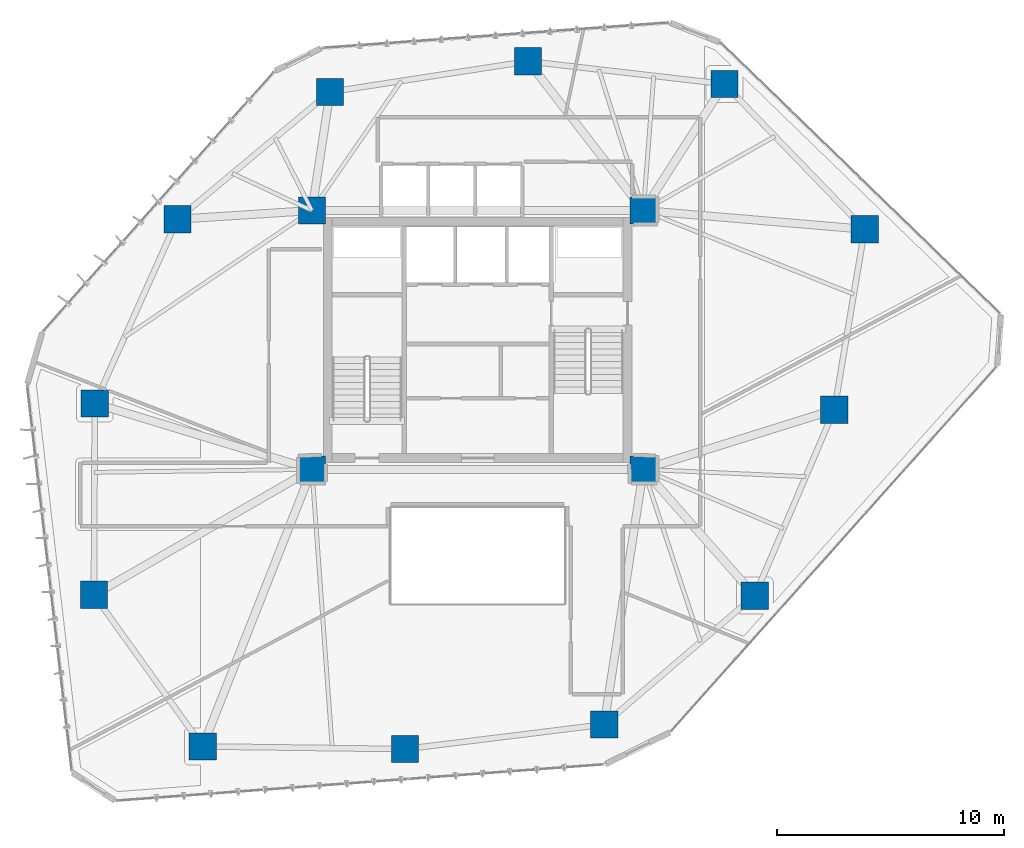
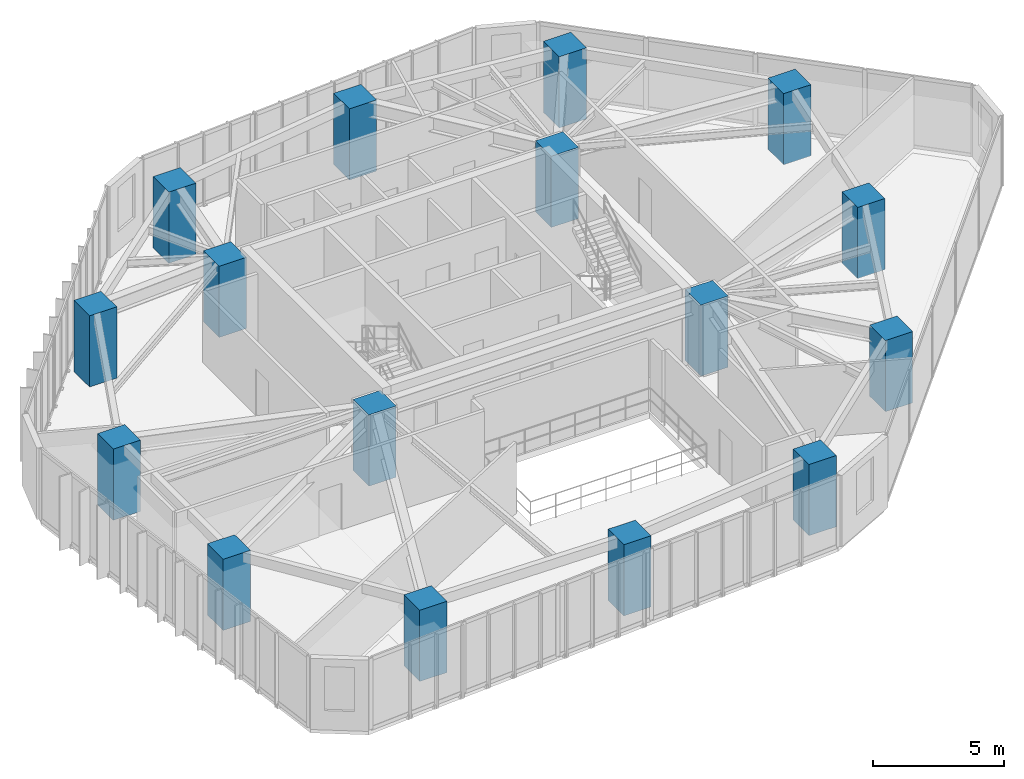
# One storey, part 1 of 23: 16 columns.
"""IFC4 building model written with IfcOpenShell, lengths in metres."""

from ifc_helpers import new_model, si_unit, direction, frame, origin, origin_2d, place, context, subcontext, project, spatial, rectangle, extrude, material, material_profile, profile_set, type_object, element, save


model = new_model("IFC4")

# Units and contexts
model_context = context("Model", 3, precision=1e-05, world=origin(), true_north=direction((0.0, 1.0)))
body_context = subcontext(model_context, "Body", "Model", "MODEL_VIEW")
ifc_project = project(units=[si_unit("LENGTHUNIT", "METRE"), si_unit("AREAUNIT", "SQUARE_METRE"), si_unit("VOLUMEUNIT", "CUBIC_METRE"), si_unit("PLANEANGLEUNIT", "RADIAN"), si_unit("MASSUNIT", "GRAM", prefix="KILO")], contexts=[model_context])

# Site, building, storey
site_placement = place(None, origin())
site = spatial("IfcSite", under=ifc_project, at=site_placement, CompositionType="ELEMENT")
building_placement = place(site_placement, origin())
building = spatial("IfcBuilding", under=site, at=building_placement, Name="Talar Marvaseh", CompositionType="ELEMENT")
storey_placement = place(building_placement, frame((0.0, 0.0, 103.800048828125)))
storey = spatial("IfcBuildingStorey", under=building, at=storey_placement, Name="L26", CompositionType="ELEMENT", Elevation=103.800048828125)

# Columns
ifc_material = material(Name="Concrete C60/75", Category="concrete")
ifc_material_profile = material_profile(ifc_material, rectangle(XDim=1.199951171875, YDim=1.199951171875, at=origin_2d()), Name="RC1200x1200")
ifc_profile_set = profile_set([ifc_material_profile], Name="Concrete C60/75")
column_type = type_object("IfcColumnType", Name="Zone 2 Tube Column RC1200x1200", PredefinedType="COLUMN", material=ifc_profile_set)
for number, where, z_axis, x_axis, name in (
    (1, (36.865966796875, 42.470947265625, 0.0), (0.0, 0.0, 1.0), (1.0, 0.0, 0.0), "L26 Zone 2 Tube Column RC1200x1200"),
    (2, (43.0439453125, 36.075927734375, 0.0), (0.0, 0.0, 1.0), (1.0, 0.0, 0.0), "L26 Zone 2 Tube Column RC1200x1200"),
    (3, (41.708984375, 28.1279296875, 0.0), (0.0, 0.0, 1.0), (1.0, 0.0, 0.0), "L26 Zone 2 Tube Column RC1200x1200"),
    (4, (38.2060546875, 19.94091796875, 0.0), (0.0, 0.0, 1.0), (1.0, 0.0, 0.0), "L26 Zone 2 Tube Column RC1200x1200"),
    (5, (31.570068359375, 14.26806640625, 0.0), (0.0, 0.0, 1.0), (1.0, 0.0, 0.0), "L26 Zone 2 Tube Column RC1200x1200"),
    (6, (22.804931640625, 13.18310546875, 0.0), (0.0, 0.0, 1.0), (1.0, 0.0, 0.0), "L26 Zone 2 Tube Column RC1200x1200"),
    (7, (13.89111328125, 13.299072265625, 0.0), (0.0, 0.0, 1.0), (1.0, 0.0, 0.0), "L26 Zone 2 Tube Column RC1200x1200"),
    (8, (9.10107421875, 19.97705078125, 0.0), (0.0, 0.0, 1.0), (1.0, 0.0, 0.0), "L26 Zone 2 Tube Column RC1200x1200"),
    (9, (9.137939453125, 28.402099609375, 0.0), (0.0, 0.0, 1.0), (1.0, 0.0, 0.0), "L26 Zone 2 Tube Column RC1200x1200"),
    (10, (12.780029296875, 36.51708984375, 0.0), (0.0, 0.0, 1.0), (1.0, 0.0, 0.0), "L26 Zone 2 Tube Column RC1200x1200"),
    (11, (19.5009765625, 42.123046875, 0.0), (0.0, 0.0, 1.0), (1.0, 0.0, 0.0), "L26 Zone 2 Tube Column RC1200x1200"),
    (12, (28.221923828125, 43.471923828125, 0.0), (0.0, 0.0, 1.0), (1.0, 0.0, 0.0), "L26 Zone 2 Tube Column RC1200x1200"),
    (13, (18.699951171875, 25.5, 0.0), (0.0, 0.0, 1.0), (1.0, 0.0, 0.0), "L26 Zone 2 Tube Column RC1200x1200"),
    (14, (33.300048828125, 25.5, 0.0), (0.0, 0.0, 1.0), (1.0, 0.0, 0.0), "L26 Zone 2 Tube Column RC1200x1200"),
    (15, (33.300048828125, 36.89990234375, 0.0), (0.0, 0.0, 1.0), (1.0, 0.0, 0.0), "L26 Zone 2 Tube Column RC1200x1200"),
    (16, (18.699951171875, 36.89990234375, 0.0), (0.0, 0.0, 1.0), (1.0, 0.0, 0.0), "L26 Zone 2 Tube Column RC1200x1200"),
):
    element("IfcColumn", number, at=place(storey_placement, frame(where, z_axis=z_axis, x_axis=x_axis)), inside=storey, type_object=column_type, Name=name, PredefinedType="COLUMN", context=body_context, shape_type="SweptSolid", body=[
        extrude(rectangle(XDim=1.199951171875, YDim=1.199951171875, at=origin_2d()), origin(), (0.0, 0.0, 1.0), 3.31005859375),
    ])

save(model, "model.ifc")
